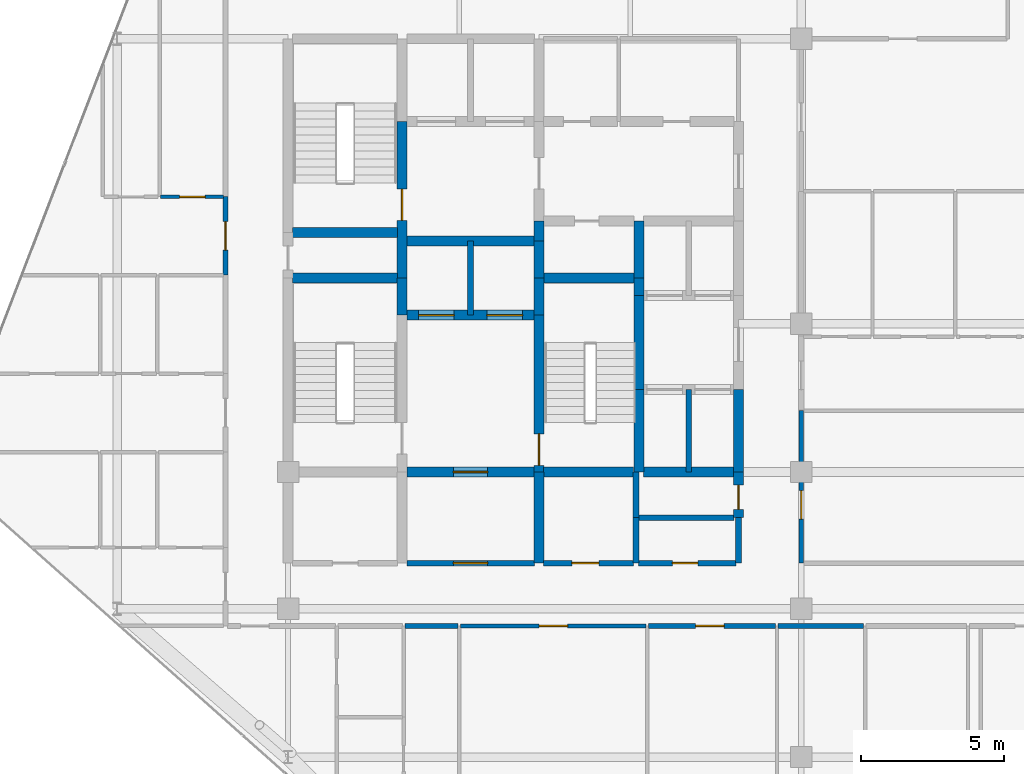
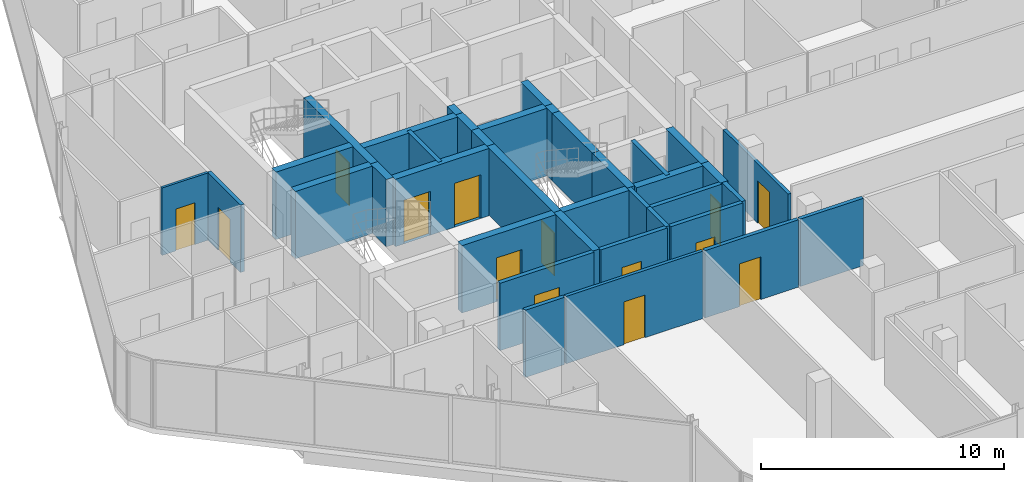
# One storey, part 24 of 29: 37 walls, 14 doors, 14 openings.
"""IFC4 building model written with IfcOpenShell, lengths in metres."""

from ifc_helpers import new_model, si_unit, direction, frame, frame_2d, origin, place, context, subcontext, project, spatial, rectangle, extrude, material, layer, layer_set, type_object, element, fill, save


model = new_model("IFC4")

# Units and contexts
model_context = context("Model", 3, precision=1e-05, world=origin(), true_north=direction((0.0, 1.0)))
body_context = subcontext(model_context, "Body", "Model", "MODEL_VIEW")
ifc_project = project(units=[si_unit("LENGTHUNIT", "METRE"), si_unit("AREAUNIT", "SQUARE_METRE"), si_unit("VOLUMEUNIT", "CUBIC_METRE"), si_unit("PLANEANGLEUNIT", "RADIAN"), si_unit("MASSUNIT", "GRAM", prefix="KILO")], contexts=[model_context])

# Site, building, storey
site_placement = place(None, origin())
site = spatial("IfcSite", under=ifc_project, at=site_placement, CompositionType="ELEMENT")
building_placement = place(site_placement, origin())
building = spatial("IfcBuilding", under=site, at=building_placement, Name="Keshet Zoharim Tower", CompositionType="ELEMENT")
storey_placement = place(building_placement, frame((0.0, 0.0, 206.89990234375)))
storey = spatial("IfcBuildingStorey", under=building, at=storey_placement, Name="L51", CompositionType="ELEMENT", Elevation=206.89990234375)

# Wall, opening, door
ifc_material_1 = material(Name="Gypsum Plasterboard", Category="gypsum")
ifc_layer_1 = layer(ifc_material_1, 0.14990234375)
ifc_layer_set_1 = layer_set([ifc_layer_1], Name="Gypsum Plasterboard")
wall_type_1 = type_object("IfcWallType", Name="WL-CLIN-150", PredefinedType="STANDARD", material=ifc_layer_set_1)
wall_1_placement = place(storey_placement, frame((33.0, 19.510009765625, 0.0), z_axis=(0.0, 0.0, 1.0), x_axis=(0.0, 1.0, 0.0)))
wall_1 = element("IfcWall", 1, at=wall_1_placement, inside=storey, type_object=wall_type_1, Name="L51 Interior Wall 072", PredefinedType="STANDARD", context=body_context, shape_type="SweptSolid", body=[
    extrude(rectangle(XDim=5.35009765625, YDim=0.14990234375, at=frame_2d((2.675048828125, 0.0))), origin(), (0.0, 0.0, 1.0), 2.989990234375),
])
opening_1_placement = place(wall_1_placement, frame((1.533935546875, 0.0, 0.0)))
opening_1 = element("IfcOpeningElement", 2, at=opening_1_placement, cuts=wall_1, Name="Opening D-F310", PredefinedType="OPENING", context=body_context, shape_type="SweptSolid", body=[
    extrude(rectangle(XDim=1.0, YDim=2.14990234375, at=frame_2d((0.5, 1.074951171875))), frame((0.0, 0.0849609375, 0.0), z_axis=(0.0, -1.0, 0.0), x_axis=(1.0, 0.0, 0.0)), (0.0, 0.0, 1.0), 0.169921875),
])
ifc_material_2 = material(Name="Hardwood Timber", Category="wood")
door_type_1 = type_object("IfcDoorType", Name="DR-FD30-100", OperationType="NOTDEFINED", PredefinedType="DOOR", material=ifc_material_2)
door_1_placement = place(opening_1_placement, origin())
door_1 = element("IfcDoor", 3, at=door_1_placement, inside=storey, type_object=door_type_1, Name="L51 South East Residents Services Suite Door 2", OperationType="SINGLE_SWING_RIGHT", OverallHeight=2.14990234375, OverallWidth=1.0, PredefinedType="DOOR", context=body_context, shape_type="SweptSolid", body=[
    extrude(rectangle(XDim=1.0, YDim=2.14990234375, at=frame_2d((0.5, 1.074951171875))), frame((0.0, 0.02490234375, 0.0), z_axis=(0.0, -1.0, 0.0), x_axis=(1.0, 0.0, 0.0)), (0.0, 0.0, 1.0), 0.050048828125),
])
fill(opening_1, door_1)

wall_2_placement = place(storey_placement, frame((21.044921875, 17.300048828125, 0.0), z_axis=(0.0, 0.0, 1.0), x_axis=(1.0, 0.0, 0.0)))
wall_2 = element("IfcWall", 4, at=wall_2_placement, inside=storey, type_object=wall_type_1, Name="L51 Interior Wall 116", PredefinedType="STANDARD", context=body_context, shape_type="SweptSolid", body=[
    extrude(rectangle(XDim=6.510009765625, YDim=0.14990234375, at=frame_2d((3.2548828125, 0.0))), origin(), (0.0, 0.0, 1.0), 3.39013671875),
])
opening_2_placement = place(wall_2_placement, frame((2.7548828125, 0.0, 0.0)))
opening_2 = element("IfcOpeningElement", 5, at=opening_2_placement, cuts=wall_2, Name="Opening D-F310", PredefinedType="OPENING", context=body_context, shape_type="SweptSolid", body=[
    extrude(rectangle(XDim=1.0, YDim=2.14990234375, at=frame_2d((0.5, 1.074951171875))), frame((0.0, 0.0849609375, 0.0), z_axis=(0.0, -1.0, 0.0), x_axis=(1.0, 0.0, 0.0)), (0.0, 0.0, 1.0), 0.169921875),
])
door_2_placement = place(opening_2_placement, origin())
door_2 = element("IfcDoor", 6, at=door_2_placement, inside=storey, type_object=door_type_1, Name="L51 Floor Children Playroom Door", OperationType="SINGLE_SWING_LEFT", OverallHeight=2.14990234375, OverallWidth=1.0, PredefinedType="DOOR", context=body_context, shape_type="SweptSolid", body=[
    extrude(rectangle(XDim=1.0, YDim=2.14990234375, at=frame_2d((0.5, 1.074951171875))), frame((0.0, 0.02490234375, 0.0), z_axis=(0.0, -1.0, 0.0), x_axis=(1.0, 0.0, 0.0)), (0.0, 0.0, 1.0), 0.050048828125),
])
fill(opening_2, door_2)

# Wall
ifc_material_3 = material(Name="Concrete C60/75", Category="concrete")
ifc_layer_2 = layer(ifc_material_3, 0.35009765625)
ifc_layer_set_2 = layer_set([ifc_layer_2], Name="Concrete C60/75")
wall_type_2 = type_object("IfcWallType", Name="WL-CORE-350", PredefinedType="SHEAR", material=ifc_layer_set_2)
wall_3_placement = place(storey_placement, frame((19.0, 28.199951171875, 0.0), z_axis=(0.0, 0.0, 1.0), x_axis=(0.0, 1.0, 0.0)))
element("IfcWall", 7, at=wall_3_placement, inside=storey, type_object=wall_type_2, Name="L51 Core Shear Wall 025", PredefinedType="SHEAR", context=body_context, shape_type="SweptSolid", body=[
    extrude(rectangle(XDim=1.300048828125, YDim=0.35009765625, at=frame_2d((0.64990234375, 0.0))), origin(), (0.0, 0.0, 1.0), 3.39013671875),
])

# Wall, opening, door
wall_4_placement = place(storey_placement, frame((19.0, 29.5, 0.0), z_axis=(0.0, 0.0, 1.0), x_axis=(0.0, 1.0, 0.0)))
wall_4 = element("IfcWall", 8, at=wall_4_placement, inside=storey, type_object=wall_type_2, Name="L51 Core Shear Wall 026", PredefinedType="SHEAR", context=body_context, shape_type="SweptSolid", body=[
    extrude(rectangle(XDim=5.5, YDim=0.35009765625, at=frame_2d((2.75, 0.0))), origin(), (0.0, 0.0, 1.0), 3.39013671875),
])
opening_3_placement = place(wall_4_placement, frame((2.02490234375, 0.0, 0.0)))
opening_3 = element("IfcOpeningElement", 9, at=opening_3_placement, cuts=wall_4, Name="Opening D-F611", PredefinedType="OPENING", context=body_context, shape_type="SweptSolid", body=[
    extrude(rectangle(XDim=1.10009765625, YDim=2.14990234375, at=frame_2d((0.550048828125, 1.074951171875))), frame((0.0, 0.18505859375, 0.0), z_axis=(0.0, -1.0, 0.0), x_axis=(1.0, 0.0, 0.0)), (0.0, 0.0, 1.0), 0.3701171875),
])
door_type_2 = type_object("IfcDoorType", Name="DR-FD60-110", OperationType="NOTDEFINED", PredefinedType="DOOR", material=ifc_material_2)
door_3_placement = place(opening_3_placement, origin())
door_3 = element("IfcDoor", 10, at=door_3_placement, inside=storey, type_object=door_type_2, Name="L51 Exit Stair ST-02 Fire Door", OperationType="SINGLE_SWING_LEFT", OverallHeight=2.14990234375, OverallWidth=1.10009765625, PredefinedType="DOOR", context=body_context, shape_type="SweptSolid", body=[
    extrude(rectangle(XDim=1.10009765625, YDim=2.14990234375, at=frame_2d((0.550048828125, 1.074951171875))), frame((0.0, 0.02490234375, 0.0), z_axis=(0.0, -1.0, 0.0), x_axis=(1.0, 0.0, 0.0)), (0.0, 0.0, 1.0), 0.050048828125),
])
fill(opening_3, door_3)

# Wall
wall_5_placement = place(storey_placement, frame((23.800048828125, 19.5, 0.0), z_axis=(0.0, 0.0, 1.0), x_axis=(0.0, 1.0, 0.0)))
element("IfcWall", 11, at=wall_5_placement, inside=storey, type_object=wall_type_2, Name="L51 Core Shear Wall 037", PredefinedType="SHEAR", context=body_context, shape_type="SweptSolid", body=[
    extrude(rectangle(XDim=3.199951171875, YDim=0.35009765625, at=frame_2d((1.60009765625, 0.0))), origin(), (0.0, 0.0, 1.0), 3.39013671875),
])

# Wall, opening, door
wall_6_placement = place(storey_placement, frame((23.800048828125, 22.699951171875, 0.0), z_axis=(0.0, 0.0, 1.0), x_axis=(0.0, 1.0, 0.0)))
wall_6 = element("IfcWall", 12, at=wall_6_placement, inside=storey, type_object=wall_type_2, Name="L51 Core Shear Wall 038", PredefinedType="SHEAR", context=body_context, shape_type="SweptSolid", body=[
    extrude(rectangle(XDim=5.5, YDim=0.35009765625, at=frame_2d((2.75, 0.0))), origin(), (0.0, 0.0, 1.0), 3.39013671875),
])
opening_4_placement = place(wall_6_placement, frame((0.235107421875, 0.0, 0.0)))
opening_4 = element("IfcOpeningElement", 13, at=opening_4_placement, cuts=wall_6, Name="Opening D-F611", PredefinedType="OPENING", context=body_context, shape_type="SweptSolid", body=[
    extrude(rectangle(XDim=1.10009765625, YDim=2.14990234375, at=frame_2d((0.550048828125, 1.074951171875))), frame((0.0, 0.18505859375, 0.0), z_axis=(0.0, -1.0, 0.0), x_axis=(1.0, 0.0, 0.0)), (0.0, 0.0, 1.0), 0.3701171875),
])
door_4_placement = place(opening_4_placement, frame((1.10009765625, 0.0, 0.0), z_axis=(0.0, 0.0, 1.0), x_axis=(-1.0, 0.0, 0.0)))
door_4 = element("IfcDoor", 14, at=door_4_placement, inside=storey, type_object=door_type_2, Name="L51 Exit Stair ST-03 Fire Door", OperationType="SINGLE_SWING_LEFT", OverallHeight=2.14990234375, OverallWidth=1.10009765625, PredefinedType="DOOR", context=body_context, shape_type="SweptSolid", body=[
    extrude(rectangle(XDim=1.10009765625, YDim=2.14990234375, at=frame_2d((0.550048828125, 1.074951171875))), frame((0.0, 0.02490234375, 0.0), z_axis=(0.0, -1.0, 0.0), x_axis=(1.0, 0.0, 0.0)), (0.0, 0.0, 1.0), 0.050048828125),
])
fill(opening_4, door_4)

# Walls
for number, where, z_axis, x_axis, name in (
    (15, (23.800048828125, 28.199951171875, 0.0), (0.0, 0.0, 1.0), (0.0, 1.0, 0.0), "L51 Core Shear Wall 039"),
    (16, (23.800048828125, 29.5, 0.0), (0.0, 0.0, 1.0), (0.0, 1.0, 0.0), "L51 Core Shear Wall 040"),
):
    element("IfcWall", number, at=place(storey_placement, frame(where, z_axis=z_axis, x_axis=x_axis)), inside=storey, type_object=wall_type_2, Name=name, PredefinedType="SHEAR", context=body_context, shape_type="SweptSolid", body=[
        extrude(rectangle(XDim=1.300048828125, YDim=0.35009765625, at=frame_2d((0.64990234375, 0.0))), origin(), (0.0, 0.0, 1.0), 3.39013671875),
    ])
wall_7_placement = place(storey_placement, frame((23.800048828125, 30.800048828125, 0.0), z_axis=(0.0, 0.0, 1.0), x_axis=(0.0, 1.0, 0.0)))
element("IfcWall", 17, at=wall_7_placement, inside=storey, type_object=wall_type_2, Name="L51 Core Shear Wall 041", PredefinedType="SHEAR", context=body_context, shape_type="SweptSolid", body=[
    extrude(rectangle(XDim=0.699951171875, YDim=0.35009765625, at=frame_2d((0.35009765625, 0.0))), origin(), (0.0, 0.0, 1.0), 3.39013671875),
])
wall_8_placement = place(storey_placement, frame((27.300048828125, 22.699951171875, 0.0), z_axis=(0.0, 0.0, 1.0), x_axis=(0.0, 1.0, 0.0)))
element("IfcWall", 18, at=wall_8_placement, inside=storey, type_object=wall_type_2, Name="L51 Core Shear Wall 050", PredefinedType="SHEAR", context=body_context, shape_type="SweptSolid", body=[
    extrude(rectangle(XDim=2.900146484375, YDim=0.35009765625, at=frame_2d((1.4501953125, 0.0))), origin(), (0.0, 0.0, 1.0), 3.39013671875),
])
wall_9_placement = place(storey_placement, frame((27.300048828125, 25.60009765625, 0.0), z_axis=(0.0, 0.0, 1.0), x_axis=(0.0, 1.0, 0.0)))
element("IfcWall", 19, at=wall_9_placement, inside=storey, type_object=wall_type_2, Name="L51 Core Shear Wall 051", PredefinedType="SHEAR", context=body_context, shape_type="SweptSolid", body=[
    extrude(rectangle(XDim=3.2998046875, YDim=0.35009765625, at=frame_2d((1.64990234375, 0.0))), origin(), (0.0, 0.0, 1.0), 3.39013671875),
])
wall_10_placement = place(storey_placement, frame((27.300048828125, 28.89990234375, 0.0), z_axis=(0.0, 0.0, 1.0), x_axis=(0.0, 1.0, 0.0)))
element("IfcWall", 20, at=wall_10_placement, inside=storey, type_object=wall_type_2, Name="L51 Core Shear Wall 052", PredefinedType="SHEAR", context=body_context, shape_type="SweptSolid", body=[
    extrude(rectangle(XDim=0.60009765625, YDim=0.35009765625, at=frame_2d((0.300048828125, 0.0))), origin(), (0.0, 0.0, 1.0), 3.39013671875),
])
wall_11_placement = place(storey_placement, frame((27.300048828125, 29.5, 0.0), z_axis=(0.0, 0.0, 1.0), x_axis=(0.0, 1.0, 0.0)))
element("IfcWall", 21, at=wall_11_placement, inside=storey, type_object=wall_type_2, Name="L51 Core Shear Wall 053", PredefinedType="SHEAR", context=body_context, shape_type="SweptSolid", body=[
    extrude(rectangle(XDim=2.0, YDim=0.35009765625, at=frame_2d((1.0, 0.0))), origin(), (0.0, 0.0, 1.0), 3.39013671875),
])

# Wall, opening, door
wall_12_placement = place(storey_placement, frame((30.800048828125, 21.10009765625, 0.0), z_axis=(0.0, 0.0, 1.0), x_axis=(0.0, 1.0, 0.0)))
wall_12 = element("IfcWall", 22, at=wall_12_placement, inside=storey, type_object=wall_type_2, Name="L51 Core Shear Wall 061", PredefinedType="SHEAR", context=body_context, shape_type="SweptSolid", body=[
    extrude(rectangle(XDim=1.599853515625, YDim=0.35009765625, at=frame_2d((0.7998046875, 0.0))), origin(), (0.0, 0.0, 1.0), 3.39013671875),
])
opening_5_placement = place(wall_12_placement, frame((0.287109375, 0.0, 0.0)))
opening_5 = element("IfcOpeningElement", 23, at=opening_5_placement, cuts=wall_12, Name="Opening D-RS85", PredefinedType="OPENING", context=body_context, shape_type="SweptSolid", body=[
    extrude(rectangle(XDim=0.85009765625, YDim=2.10009765625, at=frame_2d((0.425048828125, 1.050048828125))), frame((0.0, 0.18505859375, 0.0), z_axis=(0.0, -1.0, 0.0), x_axis=(1.0, 0.0, 0.0)), (0.0, 0.0, 1.0), 0.3701171875),
])
door_type_3 = type_object("IfcDoorType", Name="DR-RIS-085", OperationType="NOTDEFINED", PredefinedType="DOOR", material=ifc_material_2)
door_5_placement = place(opening_5_placement, origin())
door_5 = element("IfcDoor", 24, at=door_5_placement, inside=storey, type_object=door_type_3, Name="L51 Linen Store Door", OperationType="SINGLE_SWING_LEFT", OverallHeight=2.10009765625, OverallWidth=0.85009765625, PredefinedType="DOOR", context=body_context, shape_type="SweptSolid", body=[
    extrude(rectangle(XDim=0.85009765625, YDim=2.10009765625, at=frame_2d((0.425048828125, 1.050048828125))), frame((0.0, 0.02490234375, 0.0), z_axis=(0.0, -1.0, 0.0), x_axis=(1.0, 0.0, 0.0)), (0.0, 0.0, 1.0), 0.050048828125),
])
fill(opening_5, door_5)

# Wall
wall_13_placement = place(storey_placement, frame((30.800048828125, 22.699951171875, 0.0), z_axis=(0.0, 0.0, 1.0), x_axis=(0.0, 1.0, 0.0)))
element("IfcWall", 25, at=wall_13_placement, inside=storey, type_object=wall_type_2, Name="L51 Core Shear Wall 062", PredefinedType="SHEAR", context=body_context, shape_type="SweptSolid", body=[
    extrude(rectangle(XDim=2.900146484375, YDim=0.35009765625, at=frame_2d((1.4501953125, 0.0))), origin(), (0.0, 0.0, 1.0), 3.39013671875),
])

# Wall, opening, door
wall_14_placement = place(storey_placement, frame((19.159912109375, 22.699951171875, 0.0), z_axis=(0.0, 0.0, 1.0), x_axis=(1.0, 0.0, 0.0)))
wall_14 = element("IfcWall", 26, at=wall_14_placement, inside=storey, type_object=wall_type_2, Name="L51 Core Shear Wall 135", PredefinedType="SHEAR", context=body_context, shape_type="SweptSolid", body=[
    extrude(rectangle(XDim=4.47998046875, YDim=0.35009765625, at=frame_2d((2.239990234375, 0.0))), origin(), (0.0, 0.0, 1.0), 3.39013671875),
])
opening_6_placement = place(wall_14_placement, frame((1.639892578125, 0.0, 0.0)))
opening_6 = element("IfcOpeningElement", 27, at=opening_6_placement, cuts=wall_14, Name="Opening D-F612", PredefinedType="OPENING", context=body_context, shape_type="SweptSolid", body=[
    extrude(rectangle(XDim=1.199951171875, YDim=2.199951171875, at=frame_2d((0.60009765625, 1.10009765625))), frame((0.0, 0.18505859375, 0.0), z_axis=(0.0, -1.0, 0.0), x_axis=(1.0, 0.0, 0.0)), (0.0, 0.0, 1.0), 0.3701171875),
])
door_type_4 = type_object("IfcDoorType", Name="DR-FD60-120", OperationType="NOTDEFINED", PredefinedType="DOOR", material=ifc_material_2)
door_6_placement = place(opening_6_placement, origin())
door_6 = element("IfcDoor", 28, at=door_6_placement, inside=storey, type_object=door_type_4, Name="L51 South Core Lobby Fire Door", OperationType="SINGLE_SWING_LEFT", OverallHeight=2.199951171875, OverallWidth=1.199951171875, PredefinedType="DOOR", context=body_context, shape_type="SweptSolid", body=[
    extrude(rectangle(XDim=1.199951171875, YDim=2.199951171875, at=frame_2d((0.60009765625, 1.10009765625))), frame((0.0, 0.02490234375, 0.0), z_axis=(0.0, -1.0, 0.0), x_axis=(1.0, 0.0, 0.0)), (0.0, 0.0, 1.0), 0.050048828125),
])
fill(opening_6, door_6)

# Walls
wall_15_placement = place(storey_placement, frame((23.9599609375, 22.699951171875, 0.0), z_axis=(0.0, 0.0, 1.0), x_axis=(1.0, 0.0, 0.0)))
element("IfcWall", 29, at=wall_15_placement, inside=storey, type_object=wall_type_2, Name="L51 Core Shear Wall 136", PredefinedType="SHEAR", context=body_context, shape_type="SweptSolid", body=[
    extrude(rectangle(XDim=3.155029296875, YDim=0.35009765625, at=frame_2d((1.57763671875, 0.0))), origin(), (0.0, 0.0, 1.0), 3.39013671875),
])
wall_16_placement = place(storey_placement, frame((27.4599609375, 22.699951171875, 0.0), z_axis=(0.0, 0.0, 1.0), x_axis=(1.0, 0.0, 0.0)))
element("IfcWall", 30, at=wall_16_placement, inside=storey, type_object=wall_type_2, Name="L51 Core Shear Wall 137", PredefinedType="SHEAR", context=body_context, shape_type="SweptSolid", body=[
    extrude(rectangle(XDim=3.179931640625, YDim=0.35009765625, at=frame_2d((1.58984375, 0.0))), origin(), (0.0, 0.0, 1.0), 3.39013671875),
])

# Wall, openings, doors
wall_17_placement = place(storey_placement, frame((19.159912109375, 28.199951171875, 0.0), z_axis=(0.0, 0.0, 1.0), x_axis=(1.0, 0.0, 0.0)))
wall_17 = element("IfcWall", 31, at=wall_17_placement, inside=storey, type_object=wall_type_2, Name="L51 Core Shear Wall 149", PredefinedType="SHEAR", context=body_context, shape_type="SweptSolid", body=[
    extrude(rectangle(XDim=4.47998046875, YDim=0.35009765625, at=frame_2d((2.239990234375, 0.0))), origin(), (0.0, 0.0, 1.0), 3.39013671875),
])
opening_7_placement = place(wall_17_placement, frame((0.4150390625, 0.0, 0.0)))
opening_7 = element("IfcOpeningElement", 32, at=opening_7_placement, cuts=wall_17, Name="Opening LD-01", PredefinedType="OPENING", context=body_context, shape_type="SweptSolid", body=[
    extrude(rectangle(XDim=1.25, YDim=2.199951171875, at=frame_2d((0.625, 1.10009765625))), frame((0.0, 0.18505859375, 0.0), z_axis=(0.0, -1.0, 0.0), x_axis=(1.0, 0.0, 0.0)), (0.0, 0.0, 1.0), 0.3701171875),
])
opening_8_placement = place(wall_17_placement, frame((2.81494140625, 0.0, 0.0)))
opening_8 = element("IfcOpeningElement", 33, at=opening_8_placement, cuts=wall_17, Name="Opening LD-01", PredefinedType="OPENING", context=body_context, shape_type="SweptSolid", body=[
    extrude(rectangle(XDim=1.25, YDim=2.199951171875, at=frame_2d((0.625, 1.10009765625))), frame((0.0, 0.18505859375, 0.0), z_axis=(0.0, -1.0, 0.0), x_axis=(1.0, 0.0, 0.0)), (0.0, 0.0, 1.0), 0.3701171875),
])
ifc_material_4 = material(Name="Steel S355", Category="steel")
door_type_5 = type_object("IfcDoorType", Name="DR-LD01-125", OperationType="DOUBLE_DOOR_SLIDING", PredefinedType="DOOR", material=ifc_material_4)
door_7_placement = place(opening_7_placement, origin())
door_7 = element("IfcDoor", 34, at=door_7_placement, inside=storey, type_object=door_type_5, Name="L51 Passenger Lift Landing Door LF-09", OperationType="DOUBLE_DOOR_SLIDING", OverallHeight=2.199951171875, OverallWidth=1.25, PredefinedType="DOOR", context=body_context, shape_type="SweptSolid", body=[
    extrude(rectangle(XDim=1.25, YDim=2.199951171875, at=frame_2d((0.625, 1.10009765625))), frame((0.0, 0.02490234375, 0.0), z_axis=(0.0, -1.0, 0.0), x_axis=(1.0, 0.0, 0.0)), (0.0, 0.0, 1.0), 0.050048828125),
])
fill(opening_7, door_7)
door_8_placement = place(opening_8_placement, origin())
door_8 = element("IfcDoor", 35, at=door_8_placement, inside=storey, type_object=door_type_5, Name="L51 Passenger Lift Landing Door LF-10", OperationType="DOUBLE_DOOR_SLIDING", OverallHeight=2.199951171875, OverallWidth=1.25, PredefinedType="DOOR", context=body_context, shape_type="SweptSolid", body=[
    extrude(rectangle(XDim=1.25, YDim=2.199951171875, at=frame_2d((0.625, 1.10009765625))), frame((0.0, 0.02490234375, 0.0), z_axis=(0.0, -1.0, 0.0), x_axis=(1.0, 0.0, 0.0)), (0.0, 0.0, 1.0), 0.050048828125),
])
fill(opening_8, door_8)

# Walls
wall_18_placement = place(storey_placement, frame((15.159912109375, 29.5, 0.0), z_axis=(0.0, 0.0, 1.0), x_axis=(1.0, 0.0, 0.0)))
element("IfcWall", 36, at=wall_18_placement, inside=storey, type_object=wall_type_2, Name="L51 Core Shear Wall 151", PredefinedType="SHEAR", context=body_context, shape_type="SweptSolid", body=[
    extrude(rectangle(XDim=3.68017578125, YDim=0.35009765625, at=frame_2d((1.840087890625, 0.0))), origin(), (0.0, 0.0, 1.0), 3.39013671875),
])
wall_19_placement = place(storey_placement, frame((23.9599609375, 29.5, 0.0), z_axis=(0.0, 0.0, 1.0), x_axis=(1.0, 0.0, 0.0)))
element("IfcWall", 37, at=wall_19_placement, inside=storey, type_object=wall_type_2, Name="L51 Core Shear Wall 152", PredefinedType="SHEAR", context=body_context, shape_type="SweptSolid", body=[
    extrude(rectangle(XDim=3.179931640625, YDim=0.35009765625, at=frame_2d((1.58984375, 0.0))), origin(), (0.0, 0.0, 1.0), 3.39013671875),
])
wall_20_placement = place(storey_placement, frame((19.159912109375, 30.800048828125, 0.0), z_axis=(0.0, 0.0, 1.0), x_axis=(1.0, 0.0, 0.0)))
element("IfcWall", 38, at=wall_20_placement, inside=storey, type_object=wall_type_2, Name="L51 Core Shear Wall 156", PredefinedType="SHEAR", context=body_context, shape_type="SweptSolid", body=[
    extrude(rectangle(XDim=4.47998046875, YDim=0.35009765625, at=frame_2d((2.239990234375, 0.0))), origin(), (0.0, 0.0, 1.0), 3.39013671875),
])
wall_21_placement = place(storey_placement, frame((15.159912109375, 31.10009765625, 0.0), z_axis=(0.0, 0.0, 1.0), x_axis=(1.0, 0.0, 0.0)))
element("IfcWall", 39, at=wall_21_placement, inside=storey, type_object=wall_type_2, Name="L51 Core Shear Wall 157", PredefinedType="SHEAR", context=body_context, shape_type="SweptSolid", body=[
    extrude(rectangle(XDim=3.68017578125, YDim=0.35009765625, at=frame_2d((1.840087890625, 0.0))), origin(), (0.0, 0.0, 1.0), 3.39013671875),
])

# Wall, opening, door
ifc_layer_3 = layer(ifc_material_1, 0.179931640625)
ifc_layer_set_3 = layer_set([ifc_layer_3], Name="Gypsum Plasterboard")
wall_type_3 = type_object("IfcWallType", Name="WL-CORR-180", PredefinedType="STANDARD", material=ifc_layer_set_3)
wall_22_placement = place(storey_placement, frame((12.800048828125, 29.610107421875, 0.0), z_axis=(0.0, 0.0, 1.0), x_axis=(0.0, 1.0, 0.0)))
wall_22 = element("IfcWall", 40, at=wall_22_placement, inside=storey, type_object=wall_type_3, Name="L51 Interior Wall 012", PredefinedType="STANDARD", context=body_context, shape_type="SweptSolid", body=[
    extrude(rectangle(XDim=2.75, YDim=0.179931640625, at=frame_2d((1.375, 0.0))), origin(), (0.0, 0.0, 1.0), 3.39013671875),
])
opening_9_placement = place(wall_22_placement, frame((0.875, 0.0, 0.0)))
opening_9 = element("IfcOpeningElement", 41, at=opening_9_placement, cuts=wall_22, Name="Opening D-F310", PredefinedType="OPENING", context=body_context, shape_type="SweptSolid", body=[
    extrude(rectangle(XDim=1.0, YDim=2.14990234375, at=frame_2d((0.5, 1.074951171875))), frame((0.0, 0.10009765625, 0.0), z_axis=(0.0, -1.0, 0.0), x_axis=(1.0, 0.0, 0.0)), (0.0, 0.0, 1.0), 0.199951171875),
])
door_9_placement = place(opening_9_placement, origin())
door_9 = element("IfcDoor", 42, at=door_9_placement, inside=storey, type_object=door_type_1, Name="Apartment 5109 Entrance Door", OperationType="SINGLE_SWING_LEFT", OverallHeight=2.14990234375, OverallWidth=1.0, PredefinedType="DOOR", context=body_context, shape_type="SweptSolid", body=[
    extrude(rectangle(XDim=1.0, YDim=2.14990234375, at=frame_2d((0.5, 1.074951171875))), frame((0.0, 0.02490234375, 0.0), z_axis=(0.0, -1.0, 0.0), x_axis=(1.0, 0.0, 0.0)), (0.0, 0.0, 1.0), 0.050048828125),
])
fill(opening_9, door_9)

# Wall
wall_23_placement = place(storey_placement, frame((19.094970703125, 17.300048828125, 0.0), z_axis=(0.0, 0.0, 1.0), x_axis=(1.0, 0.0, 0.0)))
element("IfcWall", 43, at=wall_23_placement, inside=storey, type_object=wall_type_3, Name="L51 Interior Wall 115", PredefinedType="STANDARD", context=body_context, shape_type="SweptSolid", body=[
    extrude(rectangle(XDim=1.860107421875, YDim=0.179931640625, at=frame_2d((0.93017578125, 0.0))), origin(), (0.0, 0.0, 1.0), 3.39013671875),
])

# Wall, opening, door
wall_24_placement = place(storey_placement, frame((27.64501953125, 17.300048828125, 0.0), z_axis=(0.0, 0.0, 1.0), x_axis=(1.0, 0.0, 0.0)))
wall_24 = element("IfcWall", 44, at=wall_24_placement, inside=storey, type_object=wall_type_3, Name="L51 Interior Wall 117", PredefinedType="STANDARD", context=body_context, shape_type="SweptSolid", body=[
    extrude(rectangle(XDim=4.449951171875, YDim=0.179931640625, at=frame_2d((2.22509765625, 0.0))), origin(), (0.0, 0.0, 1.0), 3.39013671875),
])
opening_10_placement = place(wall_24_placement, frame((1.653076171875, 0.0, 0.0)))
opening_10 = element("IfcOpeningElement", 45, at=opening_10_placement, cuts=wall_24, Name="Opening D-F310", PredefinedType="OPENING", context=body_context, shape_type="SweptSolid", body=[
    extrude(rectangle(XDim=1.0, YDim=2.14990234375, at=frame_2d((0.5, 1.074951171875))), frame((0.0, 0.10009765625, 0.0), z_axis=(0.0, -1.0, 0.0), x_axis=(1.0, 0.0, 0.0)), (0.0, 0.0, 1.0), 0.199951171875),
])
door_10_placement = place(opening_10_placement, origin())
door_10 = element("IfcDoor", 46, at=door_10_placement, inside=storey, type_object=door_type_1, Name="Apartment 5102 Entrance Door", OperationType="SINGLE_SWING_RIGHT", OverallHeight=2.14990234375, OverallWidth=1.0, PredefinedType="DOOR", context=body_context, shape_type="SweptSolid", body=[
    extrude(rectangle(XDim=1.0, YDim=2.14990234375, at=frame_2d((0.5, 1.074951171875))), frame((0.0, 0.02490234375, 0.0), z_axis=(0.0, -1.0, 0.0), x_axis=(1.0, 0.0, 0.0)), (0.0, 0.0, 1.0), 0.050048828125),
])
fill(opening_10, door_10)

# Walls
wall_25_placement = place(storey_placement, frame((32.18505859375, 17.300048828125, 0.0), z_axis=(0.0, 0.0, 1.0), x_axis=(1.0, 0.0, 0.0)))
element("IfcWall", 47, at=wall_25_placement, inside=storey, type_object=wall_type_3, Name="L51 Interior Wall 118", PredefinedType="STANDARD", context=body_context, shape_type="SweptSolid", body=[
    extrude(rectangle(XDim=2.996826171875, YDim=0.179931640625, at=frame_2d((1.49853515625, 0.0))), origin(), (0.0, 0.0, 1.0), 3.39013671875),
])
ifc_material_5 = material(Name="Concrete C50/60", Category="concrete")
ifc_layer_4 = layer(ifc_material_5, 0.199951171875)
ifc_layer_set_4 = layer_set([ifc_layer_4], Name="Concrete C50/60")
wall_type_4 = type_object("IfcWallType", Name="WL-FIRE-200", PredefinedType="STANDARD", material=ifc_layer_set_4)
wall_26_placement = place(storey_placement, frame((21.39990234375, 28.199951171875, 0.0), z_axis=(0.0, 0.0, 1.0), x_axis=(0.0, 1.0, 0.0)))
element("IfcWall", 48, at=wall_26_placement, inside=storey, type_object=wall_type_4, Name="L51 Interior Wall 034", PredefinedType="STANDARD", context=body_context, shape_type="SweptSolid", body=[
    extrude(rectangle(XDim=2.60009765625, YDim=0.199951171875, at=frame_2d((1.300048828125, 0.0))), origin(), (0.0, 0.0, 1.0), 3.39013671875),
])
wall_27_placement = place(storey_placement, frame((27.199951171875, 19.5, 0.0), z_axis=(0.0, 0.0, 1.0), x_axis=(0.0, 1.0, 0.0)))
element("IfcWall", 49, at=wall_27_placement, inside=storey, type_object=wall_type_4, Name="L51 Interior Wall 048", PredefinedType="STANDARD", context=body_context, shape_type="SweptSolid", body=[
    extrude(rectangle(XDim=1.60009765625, YDim=0.199951171875, at=frame_2d((0.800048828125, 0.0))), origin(), (0.0, 0.0, 1.0), 3.39013671875),
])
wall_28_placement = place(storey_placement, frame((27.199951171875, 21.10009765625, 0.0), z_axis=(0.0, 0.0, 1.0), x_axis=(0.0, 1.0, 0.0)))
element("IfcWall", 50, at=wall_28_placement, inside=storey, type_object=wall_type_4, Name="L51 Interior Wall 049", PredefinedType="STANDARD", context=body_context, shape_type="SweptSolid", body=[
    extrude(rectangle(XDim=1.599853515625, YDim=0.199951171875, at=frame_2d((0.7998046875, 0.0))), origin(), (0.0, 0.0, 1.0), 3.39013671875),
])
wall_29_placement = place(storey_placement, frame((29.050048828125, 22.699951171875, 0.0), z_axis=(0.0, 0.0, 1.0), x_axis=(0.0, 1.0, 0.0)))
element("IfcWall", 51, at=wall_29_placement, inside=storey, type_object=wall_type_4, Name="L51 Interior Wall 055", PredefinedType="STANDARD", context=body_context, shape_type="SweptSolid", body=[
    extrude(rectangle(XDim=2.900146484375, YDim=0.199951171875, at=frame_2d((1.4501953125, 0.0))), origin(), (0.0, 0.0, 1.0), 3.39013671875),
])
wall_30_placement = place(storey_placement, frame((30.800048828125, 19.5, 0.0), z_axis=(0.0, 0.0, 1.0), x_axis=(0.0, 1.0, 0.0)))
element("IfcWall", 52, at=wall_30_placement, inside=storey, type_object=wall_type_4, Name="L51 Interior Wall 060", PredefinedType="STANDARD", context=body_context, shape_type="SweptSolid", body=[
    extrude(rectangle(XDim=1.60009765625, YDim=0.199951171875, at=frame_2d((0.800048828125, 0.0))), origin(), (0.0, 0.0, 1.0), 3.39013671875),
])

# Wall, opening, door
wall_31_placement = place(storey_placement, frame((19.159912109375, 19.5, 0.0), z_axis=(0.0, 0.0, 1.0), x_axis=(1.0, 0.0, 0.0)))
wall_31 = element("IfcWall", 53, at=wall_31_placement, inside=storey, type_object=wall_type_4, Name="L51 Interior Wall 126", PredefinedType="STANDARD", context=body_context, shape_type="SweptSolid", body=[
    extrude(rectangle(XDim=4.47998046875, YDim=0.199951171875, at=frame_2d((2.239990234375, 0.0))), origin(), (0.0, 0.0, 1.0), 3.39013671875),
])
opening_11_placement = place(wall_31_placement, frame((1.639892578125, 0.0, 0.0)))
opening_11 = element("IfcOpeningElement", 54, at=opening_11_placement, cuts=wall_31, Name="Opening D-F612", PredefinedType="OPENING", context=body_context, shape_type="SweptSolid", body=[
    extrude(rectangle(XDim=1.199951171875, YDim=2.199951171875, at=frame_2d((0.60009765625, 1.10009765625))), frame((0.0, 0.10986328125, 0.0), z_axis=(0.0, -1.0, 0.0), x_axis=(1.0, 0.0, 0.0)), (0.0, 0.0, 1.0), 0.219970703125),
])
door_11_placement = place(opening_11_placement, origin())
door_11 = element("IfcDoor", 55, at=door_11_placement, inside=storey, type_object=door_type_4, Name="L51 South Vestibule Corridor Door", OperationType="SINGLE_SWING_RIGHT", OverallHeight=2.199951171875, OverallWidth=1.199951171875, PredefinedType="DOOR", context=body_context, shape_type="SweptSolid", body=[
    extrude(rectangle(XDim=1.199951171875, YDim=2.199951171875, at=frame_2d((0.60009765625, 1.10009765625))), frame((0.0, 0.02490234375, 0.0), z_axis=(0.0, -1.0, 0.0), x_axis=(1.0, 0.0, 0.0)), (0.0, 0.0, 1.0), 0.050048828125),
])
fill(opening_11, door_11)

wall_32_placement = place(storey_placement, frame((23.9599609375, 19.5, 0.0), z_axis=(0.0, 0.0, 1.0), x_axis=(1.0, 0.0, 0.0)))
wall_32 = element("IfcWall", 56, at=wall_32_placement, inside=storey, type_object=wall_type_4, Name="L51 Interior Wall 127", PredefinedType="STANDARD", context=body_context, shape_type="SweptSolid", body=[
    extrude(rectangle(XDim=3.155029296875, YDim=0.199951171875, at=frame_2d((1.57763671875, 0.0))), origin(), (0.0, 0.0, 1.0), 3.39013671875),
])
opening_12_placement = place(wall_32_placement, frame((0.990966796875, 0.0, 0.0)))
opening_12 = element("IfcOpeningElement", 57, at=opening_12_placement, cuts=wall_32, Name="Opening D-F695", PredefinedType="OPENING", context=body_context, shape_type="SweptSolid", body=[
    extrude(rectangle(XDim=0.949951171875, YDim=2.14990234375, at=frame_2d((0.47509765625, 1.074951171875))), frame((0.0, 0.10986328125, 0.0), z_axis=(0.0, -1.0, 0.0), x_axis=(1.0, 0.0, 0.0)), (0.0, 0.0, 1.0), 0.219970703125),
])
door_type_6 = type_object("IfcDoorType", Name="DR-FD60-095", OperationType="NOTDEFINED", PredefinedType="DOOR", material=ifc_material_2)
door_12_placement = place(opening_12_placement, origin())
door_12 = element("IfcDoor", 58, at=door_12_placement, inside=storey, type_object=door_type_6, Name="L51 Utility Room Door", OperationType="SINGLE_SWING_LEFT", OverallHeight=2.14990234375, OverallWidth=0.949951171875, PredefinedType="DOOR", context=body_context, shape_type="SweptSolid", body=[
    extrude(rectangle(XDim=0.949951171875, YDim=2.14990234375, at=frame_2d((0.47509765625, 1.074951171875))), frame((0.0, 0.02490234375, 0.0), z_axis=(0.0, -1.0, 0.0), x_axis=(1.0, 0.0, 0.0)), (0.0, 0.0, 1.0), 0.050048828125),
])
fill(opening_12, door_12)

wall_33_placement = place(storey_placement, frame((27.284912109375, 19.5, 0.0), z_axis=(0.0, 0.0, 1.0), x_axis=(1.0, 0.0, 0.0)))
wall_33 = element("IfcWall", 59, at=wall_33_placement, inside=storey, type_object=wall_type_4, Name="L51 Interior Wall 128", PredefinedType="STANDARD", context=body_context, shape_type="SweptSolid", body=[
    extrude(rectangle(XDim=3.43017578125, YDim=0.199951171875, at=frame_2d((1.715087890625, 0.0))), origin(), (0.0, 0.0, 1.0), 3.39013671875),
])
opening_13_placement = place(wall_33_placement, frame((1.19189453125, 0.0, 0.0)))
opening_13 = element("IfcOpeningElement", 60, at=opening_13_placement, cuts=wall_33, Name="Opening D-F690", PredefinedType="OPENING", context=body_context, shape_type="SweptSolid", body=[
    extrude(rectangle(XDim=0.89990234375, YDim=2.14990234375, at=frame_2d((0.449951171875, 1.074951171875))), frame((0.0, 0.10986328125, 0.0), z_axis=(0.0, -1.0, 0.0), x_axis=(1.0, 0.0, 0.0)), (0.0, 0.0, 1.0), 0.219970703125),
])
door_type_7 = type_object("IfcDoorType", Name="DR-FD60-090", OperationType="NOTDEFINED", PredefinedType="DOOR", material=ifc_material_2)
door_13_placement = place(opening_13_placement, origin())
door_13 = element("IfcDoor", 61, at=door_13_placement, inside=storey, type_object=door_type_7, Name="L51 Valve Room Door", OperationType="SINGLE_SWING_RIGHT", OverallHeight=2.14990234375, OverallWidth=0.89990234375, PredefinedType="DOOR", context=body_context, shape_type="SweptSolid", body=[
    extrude(rectangle(XDim=0.89990234375, YDim=2.14990234375, at=frame_2d((0.449951171875, 1.074951171875))), frame((0.0, 0.02490234375, 0.0), z_axis=(0.0, -1.0, 0.0), x_axis=(1.0, 0.0, 0.0)), (0.0, 0.0, 1.0), 0.050048828125),
])
fill(opening_13, door_13)

# Wall
wall_34_placement = place(storey_placement, frame((27.284912109375, 21.10009765625, 0.0), z_axis=(0.0, 0.0, 1.0), x_axis=(1.0, 0.0, 0.0)))
element("IfcWall", 62, at=wall_34_placement, inside=storey, type_object=wall_type_4, Name="L51 Interior Wall 133", PredefinedType="STANDARD", context=body_context, shape_type="SweptSolid", body=[
    extrude(rectangle(XDim=3.35498046875, YDim=0.199951171875, at=frame_2d((1.677490234375, 0.0))), origin(), (0.0, 0.0, 1.0), 3.39013671875),
])

# Wall, opening, door
ifc_layer_5 = layer(ifc_material_1, 0.1201171875)
ifc_layer_set_5 = layer_set([ifc_layer_5], Name="Gypsum Plasterboard")
wall_type_5 = type_object("IfcWallType", Name="WL-WET-120", PredefinedType="PARTITIONING", material=ifc_layer_set_5)
wall_35_placement = place(storey_placement, frame((10.52294921875, 32.35009765625, 0.0), z_axis=(0.0, 0.0, 1.0), x_axis=(1.0, 0.0, 0.0)))
wall_35 = element("IfcWall", 63, at=wall_35_placement, inside=storey, type_object=wall_type_5, Name="L51 Interior Wall 161", PredefinedType="PARTITIONING", context=body_context, shape_type="SweptSolid", body=[
    extrude(rectangle(XDim=2.2021484375, YDim=0.1201171875, at=frame_2d((1.10107421875, 0.0))), origin(), (0.0, 0.0, 1.0), 3.39013671875),
])
opening_14_placement = place(wall_35_placement, frame((0.666015625, 0.0, 0.0)))
opening_14 = element("IfcOpeningElement", 64, at=opening_14_placement, cuts=wall_35, Name="Opening D-WT90", PredefinedType="OPENING", context=body_context, shape_type="SweptSolid", body=[
    extrude(rectangle(XDim=0.89990234375, YDim=2.10009765625, at=frame_2d((0.449951171875, 1.050048828125))), frame((0.0, 0.070068359375, 0.0), z_axis=(0.0, -1.0, 0.0), x_axis=(1.0, 0.0, 0.0)), (0.0, 0.0, 1.0), 0.14013671875),
])
door_type_8 = type_object("IfcDoorType", Name="DR-WET-090", OperationType="NOTDEFINED", PredefinedType="DOOR", material=ifc_material_2)
door_14_placement = place(opening_14_placement, origin())
door_14 = element("IfcDoor", 65, at=door_14_placement, inside=storey, type_object=door_type_8, Name="Apartment 5109 Bathroom Door", OperationType="SINGLE_SWING_RIGHT", OverallHeight=2.10009765625, OverallWidth=0.89990234375, PredefinedType="DOOR", context=body_context, shape_type="SweptSolid", body=[
    extrude(rectangle(XDim=0.89990234375, YDim=2.10009765625, at=frame_2d((0.449951171875, 1.050048828125))), frame((0.0, 0.02490234375, 0.0), z_axis=(0.0, -1.0, 0.0), x_axis=(1.0, 0.0, 0.0)), (0.0, 0.0, 1.0), 0.050048828125),
])
fill(opening_14, door_14)

save(model, "model.ifc")
